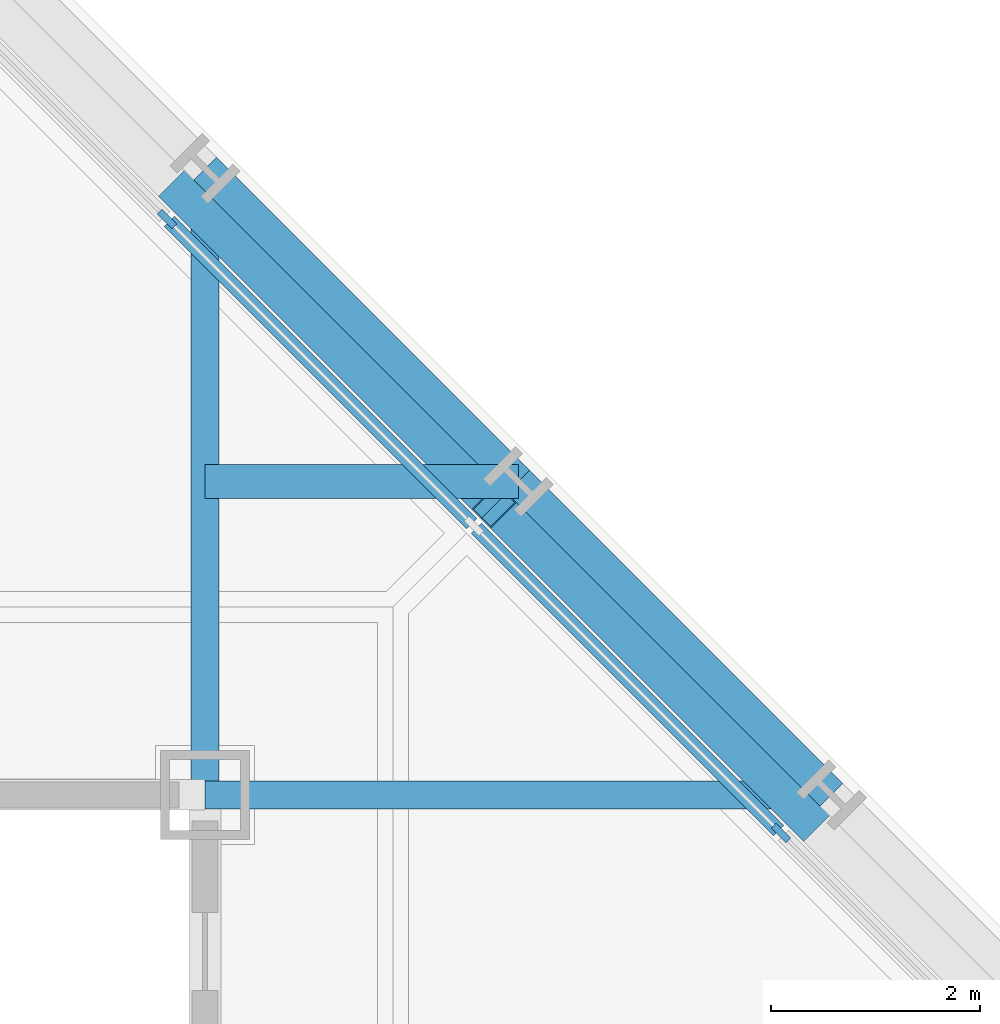
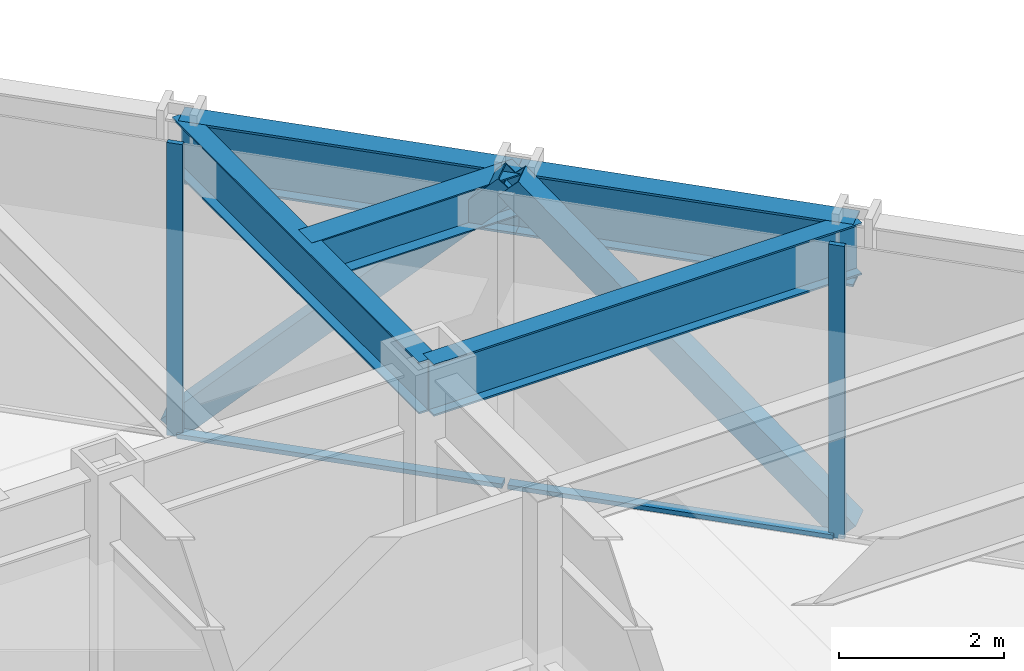
# One storey, part 8 of 24: 6 members, 5 beams, 1 element without a shape of its own.
"""IFC4 building model written with IfcOpenShell, lengths in metres."""

from ifc_helpers import new_model, si_unit, direction, frame, origin, origin_2d, place, context, subcontext, project, spatial, rectangle, hollow_rectangle, i_section, extrude, material, layer, layer_set, material_profile, profile_set, type_object, element, aggregate, save


model = new_model("IFC4")

# Units and contexts
model_context = context("Model", 3, precision=1e-05, world=origin(), true_north=direction((0.0, 1.0)))
body_context = subcontext(model_context, "Body", "Model", "MODEL_VIEW")
ifc_project = project(units=[si_unit("LENGTHUNIT", "METRE"), si_unit("AREAUNIT", "SQUARE_METRE"), si_unit("VOLUMEUNIT", "CUBIC_METRE"), si_unit("PLANEANGLEUNIT", "RADIAN"), si_unit("MASSUNIT", "GRAM", prefix="KILO")], contexts=[model_context])

# Site, building, storey
site_placement = place(None, origin())
site = spatial("IfcSite", under=ifc_project, at=site_placement, CompositionType="ELEMENT")
building_placement = place(site_placement, origin())
building = spatial("IfcBuilding", under=site, at=building_placement, Name="Chuquiago Exchange Tower", CompositionType="ELEMENT")
storey_placement = place(building_placement, frame((0.0, 0.0, 180.0)))
storey = spatial("IfcBuildingStorey", under=building, at=storey_placement, Name="L39", CompositionType="ELEMENT", Elevation=180.0)

# Beam
ifc_material_1 = material(Name="Steel ASTM A992", Category="steel")
ifc_material_profile_1 = material_profile(ifc_material_1, i_section(OverallWidth=0.3251953125, OverallDepth=0.612060546875, WebThickness=0.0126953125, FlangeThickness=0.01904296875, at=origin_2d()), Name="W24X104")
ifc_profile_set_1 = profile_set([ifc_material_profile_1], Name="Steel ASTM A992")
beam_type_1 = type_object("IfcBeamType", Name="B2 W24X104", PredefinedType="BEAM", material=ifc_profile_set_1)
beam_placement = place(storey_placement, frame((33.0, 36.0, 4.033935546875), z_axis=(1.0, 0.0, 0.0), x_axis=(0.0, 1.0, 0.0)))
element("IfcBeam", 1, at=beam_placement, inside=storey, type_object=beam_type_1, Name="FB-L40-corner-33_36-36_36-0", PredefinedType="BEAM", context=body_context, shape_type="SweptSolid", body=[
    extrude(i_section(OverallWidth=0.3251953125, OverallDepth=0.612060546875, WebThickness=0.0126953125, FlangeThickness=0.01904296875, at=origin_2d()), origin(), (0.0, 0.0, 1.0), 3.0),
])

# Curtain wall, members
ifc_material_2 = material(Name="Aluminium curtain wall system", Category="aluminium")
ifc_layer = layer(ifc_material_2, 0.199951171875)
ifc_layer_set = layer_set([ifc_layer], Name="CW3 facet curtain wall")
curtain_wall_type = type_object("IfcCurtainWallType", Name="CW3 facet curtain wall", PredefinedType="NOTDEFINED", material=ifc_layer_set)
curtain_wall_placement = place(storey_placement, origin())
curtain_wall = element("IfcCurtainWall", 2, at=curtain_wall_placement, inside=storey, type_object=curtain_wall_type, Name="CW3 curtain wall L39", PredefinedType="NOTDEFINED")
ifc_material_3 = material(Name="Aluminium mullion, pale anodised", Category="aluminium")
ifc_material_profile_2 = material_profile(ifc_material_3, rectangle(XDim=0.06494140625, YDim=0.199951171875, at=origin_2d()), Name="AL 65x200")
ifc_profile_set_2 = profile_set([ifc_material_profile_2], Name="Aluminium mullion, pale anodised")
member_type_1 = type_object("IfcMemberType", Name="CW3-M mullion 65x200", PredefinedType="MULLION", material=ifc_profile_set_2)
member_1_placement = place(storey_placement, frame((38.51708984375, 32.63427734375, 0.0), z_axis=(0.0, 0.0, 1.0), x_axis=(-0.707106781187, -0.707106781187, 0.0)))
member_1 = element("IfcMember", 3, at=member_1_placement, type_object=member_type_1, Name="CW3 mullion 3", PredefinedType="MULLION", context=body_context, shape_type="SweptSolid", body=[
    extrude(rectangle(XDim=0.06494140625, YDim=0.199951171875, at=origin_2d()), origin(), (0.0, 0.0, 1.0), 4.340087890625),
])
member_2_placement = place(storey_placement, frame((32.63427734375, 38.51708984375, 0.0), z_axis=(0.0, 0.0, 1.0), x_axis=(-0.707106781187, -0.707106781187, 0.0)))
member_2 = element("IfcMember", 4, at=member_2_placement, type_object=member_type_1, Name="CW3 mullion 5", PredefinedType="MULLION", context=body_context, shape_type="SweptSolid", body=[
    extrude(rectangle(XDim=0.06494140625, YDim=0.199951171875, at=origin_2d()), origin(), (0.0, 0.0, 1.0), 4.340087890625),
])
ifc_material_4 = material(Name="Aluminium transom, pale anodised", Category="aluminium")
ifc_material_profile_3 = material_profile(ifc_material_4, rectangle(XDim=0.139892578125, YDim=0.06494140625, at=origin_2d()), Name="AL 140x65")
ifc_profile_set_3 = profile_set([ifc_material_profile_3], Name="Aluminium transom, pale anodised")
member_type_2 = type_object("IfcMemberType", Name="CW3-T transom 65x140", PredefinedType="MULLION", material=ifc_profile_set_3)
member_3_placement = place(storey_placement, frame((38.494140625, 32.6572265625, 0.032470703125), z_axis=(-0.707106781187, 0.707106781187, 0.0), x_axis=(-0.707106781187, -0.707106781187, 0.0)))
member_3 = element("IfcMember", 5, at=member_3_placement, type_object=member_type_2, Name="CW3 transom 3.1", PredefinedType="MULLION", context=body_context, shape_type="SweptSolid", body=[
    extrude(rectangle(XDim=0.139892578125, YDim=0.06494140625, at=origin_2d()), origin(), (0.0, 0.0, 1.0), 4.094970703125),
])
member_4_placement = place(storey_placement, frame((35.552734375, 35.5986328125, 0.032470703125), z_axis=(-0.707106781187, 0.707106781187, 0.0), x_axis=(-0.707106781187, -0.707106781187, 0.0)))
member_4 = element("IfcMember", 6, at=member_4_placement, type_object=member_type_2, Name="CW3 transom 4.1", PredefinedType="MULLION", context=body_context, shape_type="SweptSolid", body=[
    extrude(rectangle(XDim=0.139892578125, YDim=0.06494140625, at=origin_2d()), origin(), (0.0, 0.0, 1.0), 4.094970703125),
])
aggregate(curtain_wall, [member_1, member_2, member_3, member_4])

# Beams
ifc_material_5 = material(Name="Steel ASTM A992", Category="steel")
ifc_material_profile_4 = material_profile(ifc_material_5, i_section(OverallWidth=0.2666015625, OverallDepth=0.76953125, WebThickness=0.015625, FlangeThickness=0.025390625, at=origin_2d()), Name="W30X132")
ifc_profile_set_4 = profile_set([ifc_material_profile_4], Name="Steel ASTM A992")
beam_type_2 = type_object("IfcBeamType", Name="G1 W30X132", PredefinedType="BEAM", material=ifc_profile_set_4)
for number, where, z_axis, x_axis, name in (
    (7, (33.0, 33.0, 3.955078125), (0.0, 1.0, 0.0), (-1.0, 0.0, 0.0), "FB-L40-girder-33_33-33_39-0"),
    (8, (33.0, 33.0, 3.955078125), (1.0, 0.0, 0.0), (0.0, 1.0, 0.0), "FB-L40-girder-33_33-39_33-0"),
):
    element("IfcBeam", number, at=place(storey_placement, frame(where, z_axis=z_axis, x_axis=x_axis)), inside=storey, type_object=beam_type_2, Name=name, PredefinedType="BEAM", context=body_context, shape_type="SweptSolid", body=[
        extrude(i_section(OverallWidth=0.2666015625, OverallDepth=0.76953125, WebThickness=0.015625, FlangeThickness=0.025390625, at=origin_2d()), origin(), (0.0, 0.0, 1.0), 6.0),
    ])

# Members
ifc_material_6 = material(Name="Steel ASTM A500 Grade C", Category="steel")
ifc_material_profile_5 = material_profile(ifc_material_6, hollow_rectangle(XDim=0.355712890625, YDim=0.355712890625, WallThickness=0.0146484375, at=origin_2d()), Name="HSS14X14X5/8")
ifc_profile_set_5 = profile_set([ifc_material_profile_5], Name="Steel ASTM A500 Grade C")
member_type_3 = type_object("IfcMemberType", Name="LB2 HSS14X14X5/8", PredefinedType="BRACE", material=ifc_profile_set_5)
for number, where, z_axis, x_axis, name in (
    (9, (38.7685546875, 32.7685546875, 0.0), (-0.494291205278, 0.494291205278, 0.715089091491), (-0.707106781187, -0.707106781187, 0.0), "LB-L39-39_33-36_36"),
    (10, (32.7685546875, 38.7685546875, 0.0), (0.494291205278, -0.494291205278, 0.715089091491), (0.707106781187, 0.707106781187, 0.0), "LB-L39-36_36-33_39"),
):
    element("IfcMember", number, at=place(storey_placement, frame(where, z_axis=z_axis, x_axis=x_axis)), inside=storey, type_object=member_type_3, Name=name, PredefinedType="BRACE", context=body_context, shape_type="SweptSolid", body=[
        extrude(hollow_rectangle(XDim=0.355712890625, YDim=0.355712890625, WallThickness=0.0146484375, at=origin_2d()), origin(), (0.0, 0.0, 1.0), 6.0693359375),
    ])

# Beams
ifc_material_7 = material(Name="Steel ASTM A992", Category="steel")
ifc_material_profile_6 = material_profile(ifc_material_7, i_section(OverallWidth=0.307373046875, OverallDepth=0.927001953125, WebThickness=0.01953125, FlangeThickness=0.031982421875, at=origin_2d()), Name="W36X194")
ifc_profile_set_6 = profile_set([ifc_material_profile_6], Name="Steel ASTM A992")
beam_type_3 = type_object("IfcBeamType", Name="SP3 W36X194", PredefinedType="SPANDREL", material=ifc_profile_set_6)
for number, where, z_axis, x_axis, name in (
    (11, (39.0, 33.0, 3.87646484375), (-0.707106781187, 0.707106781187, 0.0), (-0.707106781187, -0.707106781187, 0.0), "SPB-L40-39_33-36_36"),
    (12, (36.0, 36.0, 3.87646484375), (-0.707106781187, 0.707106781187, 0.0), (-0.707106781187, -0.707106781187, 0.0), "SPB-L40-36_36-33_39"),
):
    element("IfcBeam", number, at=place(storey_placement, frame(where, z_axis=z_axis, x_axis=x_axis)), inside=storey, type_object=beam_type_3, Name=name, PredefinedType="SPANDREL", context=body_context, shape_type="SweptSolid", body=[
        extrude(i_section(OverallWidth=0.307373046875, OverallDepth=0.927001953125, WebThickness=0.01953125, FlangeThickness=0.031982421875, at=origin_2d()), origin(), (0.0, 0.0, 1.0), 4.24267578125),
    ])

save(model, "model.ifc")
